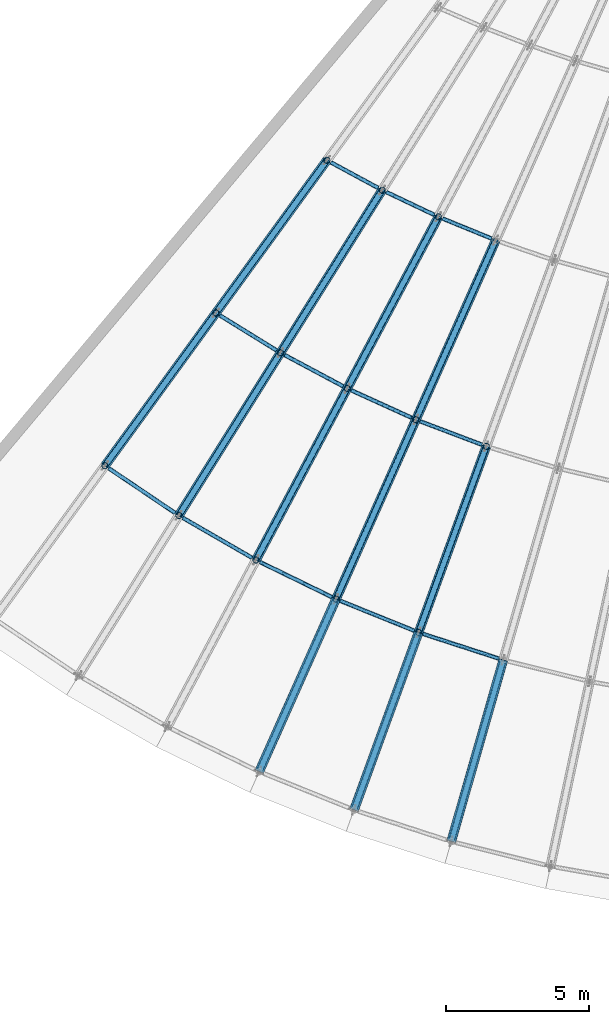
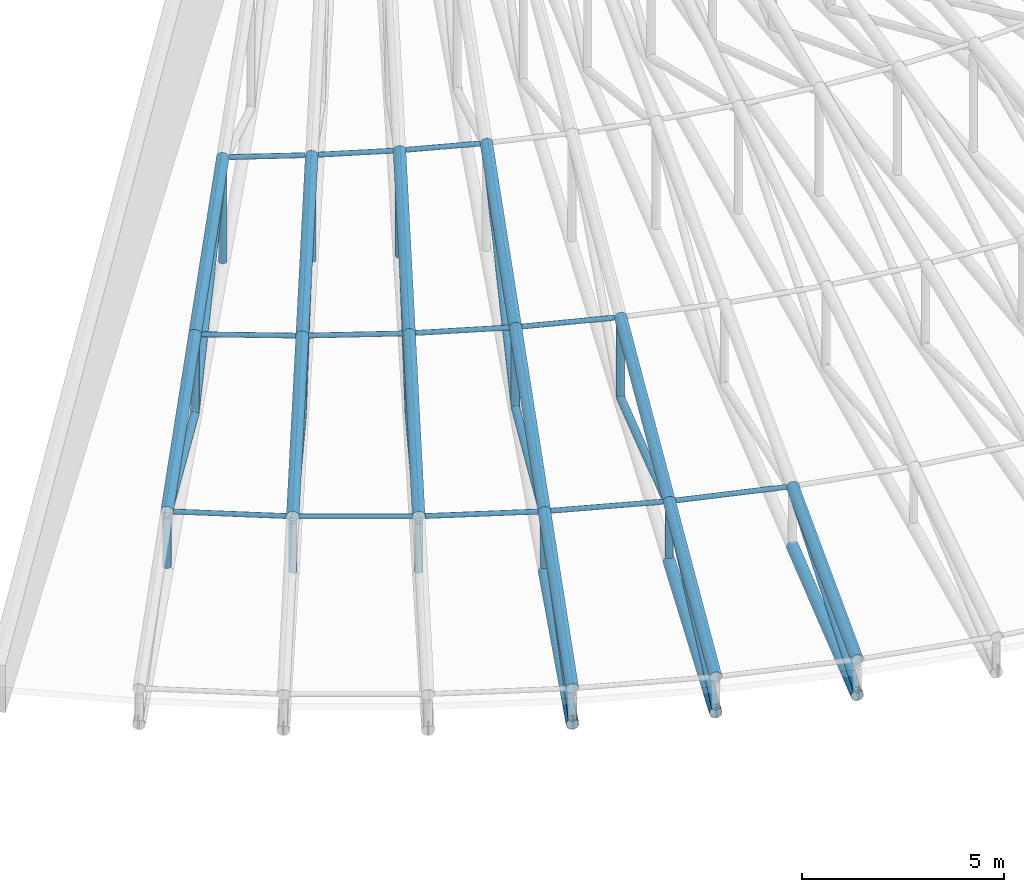
# One storey, part 24 of 163: 52 members.
"""IFC4 building model written with IfcOpenShell, lengths in metres."""

from ifc_helpers import new_model, si_unit, direction, frame, origin, origin_2d, place, context, subcontext, project, spatial, hollow_circle, extrude, material, material_profile, profile_set, type_object, element, save


model = new_model("IFC4")

# Units and contexts
model_context = context("Model", 3, precision=1e-05, world=origin(), true_north=direction((0.0, 1.0)))
body_context = subcontext(model_context, "Body", "Model", "MODEL_VIEW")
ifc_project = project(units=[si_unit("LENGTHUNIT", "METRE"), si_unit("AREAUNIT", "SQUARE_METRE"), si_unit("VOLUMEUNIT", "CUBIC_METRE"), si_unit("PLANEANGLEUNIT", "RADIAN"), si_unit("MASSUNIT", "GRAM", prefix="KILO")], contexts=[model_context])

# Site, building, storey
site_placement = place(None, origin())
site = spatial("IfcSite", under=ifc_project, at=site_placement, CompositionType="ELEMENT")
building_placement = place(site_placement, origin())
building = spatial("IfcBuilding", under=site, at=building_placement, Name="Rain Tree Exposition and Congress Centre", CompositionType="ELEMENT")
storey_placement = place(building_placement, frame((0.0, 0.0, 10.5)))
storey = spatial("IfcBuildingStorey", under=building, at=storey_placement, Name="L02", CompositionType="ELEMENT", Elevation=10.5)

# Members
ifc_material_1 = material(Name="Steel S355J2H", Category="steel")
ifc_material_profile_1 = material_profile(ifc_material_1, hollow_circle(Radius=0.108154296875, WallThickness=0.008056640625, at=origin_2d()), Name="CHS 216x8")
ifc_profile_set_1 = profile_set([ifc_material_profile_1], Name="Steel S355J2H")
member_type_1 = type_object("IfcMemberType", Name="Steel brace member CHS 216x8", PredefinedType="BRACE", material=ifc_profile_set_1)
member_1_placement = place(storey_placement, frame((175.384765625, 31.117919921875, 1.810546875), z_axis=(0.57332385433, 0.78909167236, -0.220531382502), x_axis=(-0.80900958585, 0.587795449117, 0.0)))
element("IfcMember", 1, at=member_1_placement, inside=storey, type_object=member_type_1, Name="TD1-2", PredefinedType="BRACE", context=body_context, shape_type="SweptSolid", body=[
    extrude(hollow_circle(Radius=0.108154296875, WallThickness=0.008056640625, at=origin_2d()), origin(), (0.0, 0.0, 1.0), 6.76513671875),
])
member_2_placement = place(storey_placement, frame((179.263427734375, 36.456298828125, 0.318603515625), z_axis=(0.535805353947, 0.737453255455, 0.411187692788), x_axis=(-0.80900958585, 0.587795449117, 0.0)))
element("IfcMember", 2, at=member_2_placement, inside=storey, type_object=member_type_1, Name="TD1-3", PredefinedType="BRACE", context=body_context, shape_type="SweptSolid", body=[
    extrude(hollow_circle(Radius=0.108154296875, WallThickness=0.008056640625, at=origin_2d()), origin(), (0.0, 0.0, 1.0), 7.239013671875),
])
member_3_placement = place(storey_placement, frame((177.965576171875, 29.377197265625, 1.810546875), z_axis=(0.5172842453, 0.827796952354, -0.217184749091), x_axis=(-0.848039210505, 0.529933483982, 0.0)))
element("IfcMember", 3, at=member_3_placement, inside=storey, type_object=member_type_1, Name="TD2-2", PredefinedType="BRACE", context=body_context, shape_type="SweptSolid", body=[
    extrude(hollow_circle(Radius=0.108154296875, WallThickness=0.008056640625, at=origin_2d()), origin(), (0.0, 0.0, 1.0), 6.869384765625),
])
member_4_placement = place(storey_placement, frame((181.51904296875, 35.063720703125, 0.318603515625), z_axis=(0.483715175782, 0.774077215686, 0.408441051897), x_axis=(-0.848039210505, 0.529933483982, 0.0)))
element("IfcMember", 4, at=member_4_placement, inside=storey, type_object=member_type_1, Name="TD2-3", PredefinedType="BRACE", context=body_context, shape_type="SweptSolid", body=[
    extrude(hollow_circle(Radius=0.108154296875, WallThickness=0.008056640625, at=origin_2d()), origin(), (0.0, 0.0, 1.0), 7.34619140625),
])
member_5_placement = place(storey_placement, frame((180.66162109375, 27.820556640625, 1.810546875), z_axis=(0.458528194381, 0.862399490994, -0.214520425346), x_axis=(-0.882955125335, 0.469457395984, 0.0)))
element("IfcMember", 5, at=member_5_placement, inside=storey, type_object=member_type_1, Name="TD3-2", PredefinedType="BRACE", context=body_context, shape_type="SweptSolid", body=[
    extrude(hollow_circle(Radius=0.108154296875, WallThickness=0.008056640625, at=origin_2d()), origin(), (0.0, 0.0, 1.0), 6.954833984375),
])
member_6_placement = place(storey_placement, frame((183.8505859375, 33.818359375, 0.318603515625), z_axis=(0.428982689228, 0.806801401588, 0.406257739297), x_axis=(-0.882948148784, 0.469470517241, 0.0)))
element("IfcMember", 6, at=member_6_placement, inside=storey, type_object=member_type_1, Name="TD3-3", PredefinedType="BRACE", context=body_context, shape_type="SweptSolid", body=[
    extrude(hollow_circle(Radius=0.108154296875, WallThickness=0.008056640625, at=origin_2d()), origin(), (0.0, 0.0, 1.0), 7.434326171875),
])
member_7_placement = place(storey_placement, frame((180.775146484375, 20.426513671875, 0.318603515625), z_axis=(0.396715149612, 0.891066606168, 0.220493522445), x_axis=(-0.913550510459, 0.406725294076, 0.0)))
element("IfcMember", 7, at=member_7_placement, inside=storey, type_object=member_type_1, Name="TD4-1", PredefinedType="BRACE", context=body_context, shape_type="SweptSolid", body=[
    extrude(hollow_circle(Radius=0.108154296875, WallThickness=0.008056640625, at=origin_2d()), origin(), (0.0, 0.0, 1.0), 6.766357421875),
])
member_8_placement = place(storey_placement, frame((183.45947265625, 26.455810546875, 1.810546875), z_axis=(0.397453191662, 0.892705725868, -0.212385139406), x_axis=(-0.913547360783, 0.406732368524, 0.0)))
element("IfcMember", 8, at=member_8_placement, inside=storey, type_object=member_type_1, Name="TD4-2", PredefinedType="BRACE", context=body_context, shape_type="SweptSolid", body=[
    extrude(hollow_circle(Radius=0.108154296875, WallThickness=0.008056640625, at=origin_2d()), origin(), (0.0, 0.0, 1.0), 7.024658203125),
])
member_9_placement = place(storey_placement, frame((186.25146484375, 32.726806640625, 0.318603515625), z_axis=(0.371977625984, 0.835453421073, 0.404537052672), x_axis=(-0.913541476776, 0.406745584131, 0.0)))
element("IfcMember", 9, at=member_9_placement, inside=storey, type_object=member_type_1, Name="TD4-3", PredefinedType="BRACE", context=body_context, shape_type="SweptSolid", body=[
    extrude(hollow_circle(Radius=0.108154296875, WallThickness=0.008056640625, at=origin_2d()), origin(), (0.0, 0.0, 1.0), 7.505859375),
])
member_10_placement = place(storey_placement, frame((184.088623046875, 19.087646484375, 0.318603515625), z_axis=(0.333593710067, 0.916570907478, 0.220483578003), x_axis=(-0.939696185245, 0.342010349897, 0.0)))
element("IfcMember", 10, at=member_10_placement, inside=storey, type_object=member_type_1, Name="TD5-1", PredefinedType="BRACE", context=body_context, shape_type="SweptSolid", body=[
    extrude(hollow_circle(Radius=0.108154296875, WallThickness=0.008056640625, at=origin_2d()), origin(), (0.0, 0.0, 1.0), 6.7666015625),
])
member_11_placement = place(storey_placement, frame((186.345947265625, 25.289794921875, 1.810546875), z_axis=(0.334335617184, 0.918595383848, -0.210718332984), x_axis=(-0.939694514478, 0.342014940405, 0.0)))
element("IfcMember", 11, at=member_11_placement, inside=storey, type_object=member_type_1, Name="TD5-2", PredefinedType="BRACE", context=body_context, shape_type="SweptSolid", body=[
    extrude(hollow_circle(Radius=0.108154296875, WallThickness=0.008056640625, at=origin_2d()), origin(), (0.0, 0.0, 1.0), 7.080322265625),
])
member_12_placement = place(storey_placement, frame((187.4873046875, 17.9833984375, 0.318603515625), z_axis=(0.268874838211, 0.937598167707, 0.220490356456), x_axis=(-0.961255477759, 0.275659040262, 0.0)))
element("IfcMember", 12, at=member_12_placement, inside=storey, type_object=member_type_1, Name="TD6-1", PredefinedType="BRACE", context=body_context, shape_type="SweptSolid", body=[
    extrude(hollow_circle(Radius=0.108154296875, WallThickness=0.008056640625, at=origin_2d()), origin(), (0.0, 0.0, 1.0), 6.766357421875),
])
ifc_material_2 = material(Name="Steel S355J2H", Category="steel")
ifc_material_profile_2 = material_profile(ifc_material_2, hollow_circle(Radius=0.1591796875, WallThickness=0.010009765625, at=origin_2d()), Name="CHS 318x10")
ifc_profile_set_2 = profile_set([ifc_material_profile_2], Name="Steel S355J2H")
member_type_2 = type_object("IfcMemberType", Name="Steel chord member CHS 318x10", PredefinedType="CHORD", material=ifc_profile_set_2)
for number, where, z_axis, x_axis, name in (
    (13, (175.384765625, 31.117919921875, 1.971435546875), (0.584109934618, 0.803937044776, 0.111807031609), (-0.80900958585, 0.587795449117, 0.0), "TT1-2"),
    (14, (179.263427734375, 36.456298828125, 2.7138671875), (0.584109934618, 0.803937044776, 0.111807031609), (-0.80900958585, 0.587795449117, 0.0), "TT1-3"),
):
    element("IfcMember", number, at=place(storey_placement, frame(where, z_axis=z_axis, x_axis=x_axis)), inside=storey, type_object=member_type_2, Name=name, PredefinedType="CHORD", context=body_context, shape_type="SweptSolid", body=[
        extrude(hollow_circle(Radius=0.1591796875, WallThickness=0.010009765625, at=origin_2d()), origin(), (0.0, 0.0, 1.0), 6.640380859375),
    ])
for number, where, z_axis, x_axis, name in (
    (15, (177.965576171875, 29.377197265625, 1.971435546875), (0.526611269539, 0.842722754387, 0.111798613732), (-0.848039210505, 0.529933483982, 0.0), "TT2-2"),
    (16, (181.51904296875, 35.063720703125, 2.725830078125), (0.526611269539, 0.842722754387, 0.111798613732), (-0.848039210505, 0.529933483982, 0.0), "TT2-3"),
):
    element("IfcMember", number, at=place(storey_placement, frame(where, z_axis=z_axis, x_axis=x_axis)), inside=storey, type_object=member_type_2, Name=name, PredefinedType="CHORD", context=body_context, shape_type="SweptSolid", body=[
        extrude(hollow_circle(Radius=0.1591796875, WallThickness=0.010009765625, at=origin_2d()), origin(), (0.0, 0.0, 1.0), 6.747802734375),
    ])
member_13_placement = place(storey_placement, frame((180.66162109375, 27.820556640625, 1.971435546875), z_axis=(0.466514807022, 0.877420706179, 0.111789262439), x_axis=(-0.882955125335, 0.469457395984, 0.0)))
element("IfcMember", 17, at=member_13_placement, inside=storey, type_object=member_type_2, Name="TT3-2", PredefinedType="CHORD", context=body_context, shape_type="SweptSolid", body=[
    extrude(hollow_circle(Radius=0.1591796875, WallThickness=0.010009765625, at=origin_2d()), origin(), (0.0, 0.0, 1.0), 6.835693359375),
])
member_14_placement = place(storey_placement, frame((183.8505859375, 33.818359375, 2.735595703125), z_axis=(0.466526266629, 0.877410802921, 0.111819164114), x_axis=(-0.882948148784, 0.469470517241, 0.0)))
element("IfcMember", 18, at=member_14_placement, inside=storey, type_object=member_type_2, Name="TT3-3", PredefinedType="CHORD", context=body_context, shape_type="SweptSolid", body=[
    extrude(hollow_circle(Radius=0.1591796875, WallThickness=0.010009765625, at=origin_2d()), origin(), (0.0, 0.0, 1.0), 6.836181640625),
])
member_15_placement = place(storey_placement, frame((180.775146484375, 20.426513671875, 0.1591796875), z_axis=(0.406725294076, 0.913550510459, 0.0), x_axis=(-0.913550510459, 0.406725294076, 0.0)))
element("IfcMember", 19, at=member_15_placement, inside=storey, type_object=member_type_2, Name="TC4-1", PredefinedType="CHORD", context=body_context, shape_type="SweptSolid", body=[
    extrude(hollow_circle(Radius=0.1591796875, WallThickness=0.010009765625, at=origin_2d()), origin(), (0.0, 0.0, 1.0), 6.599853515625),
])
member_16_placement = place(storey_placement, frame((180.775146484375, 20.426513671875, 1.22900390625), z_axis=(0.404176012506, 0.907824538867, 0.111787108143), x_axis=(-0.913550510459, 0.406725294076, 0.0)))
element("IfcMember", 20, at=member_16_placement, inside=storey, type_object=member_type_2, Name="TT4-1", PredefinedType="CHORD", context=body_context, shape_type="SweptSolid", body=[
    extrude(hollow_circle(Radius=0.1591796875, WallThickness=0.010009765625, at=origin_2d()), origin(), (0.0, 0.0, 1.0), 6.641357421875),
])
member_17_placement = place(storey_placement, frame((183.45947265625, 26.455810546875, 1.971435546875), z_axis=(0.404182909881, 0.907821110808, 0.11179000909), x_axis=(-0.913547360783, 0.406732368524, 0.0)))
element("IfcMember", 21, at=member_17_placement, inside=storey, type_object=member_type_2, Name="TT4-2", PredefinedType="CHORD", context=body_context, shape_type="SweptSolid", body=[
    extrude(hollow_circle(Radius=0.1591796875, WallThickness=0.010009765625, at=origin_2d()), origin(), (0.0, 0.0, 1.0), 6.90771484375),
])
member_18_placement = place(storey_placement, frame((186.25146484375, 32.726806640625, 2.74365234375), z_axis=(0.404194281199, 0.907811307503, 0.111828498226), x_axis=(-0.913541476776, 0.406745584131, 0.0)))
element("IfcMember", 22, at=member_18_placement, inside=storey, type_object=member_type_2, Name="TT4-3", PredefinedType="CHORD", context=body_context, shape_type="SweptSolid", body=[
    extrude(hollow_circle(Radius=0.1591796875, WallThickness=0.010009765625, at=origin_2d()), origin(), (0.0, 0.0, 1.0), 6.907470703125),
])
member_19_placement = place(storey_placement, frame((184.088623046875, 19.087646484375, 0.1591796875), z_axis=(0.342010349897, 0.939696185245, 0.0), x_axis=(-0.939696185245, 0.342010349897, 0.0)))
element("IfcMember", 23, at=member_19_placement, inside=storey, type_object=member_type_2, Name="TC5-1", PredefinedType="CHORD", context=body_context, shape_type="SweptSolid", body=[
    extrude(hollow_circle(Radius=0.1591796875, WallThickness=0.010009765625, at=origin_2d()), origin(), (0.0, 0.0, 1.0), 6.60009765625),
])
member_20_placement = place(storey_placement, frame((184.088623046875, 19.087646484375, 1.22900390625), z_axis=(0.33986689138, 0.933806890398, 0.111781875047), x_axis=(-0.939696185245, 0.342010349897, 0.0)))
element("IfcMember", 24, at=member_20_placement, inside=storey, type_object=member_type_2, Name="TT5-1", PredefinedType="CHORD", context=body_context, shape_type="SweptSolid", body=[
    extrude(hollow_circle(Radius=0.1591796875, WallThickness=0.010009765625, at=origin_2d()), origin(), (0.0, 0.0, 1.0), 6.641845703125),
])
member_21_placement = place(storey_placement, frame((186.345947265625, 25.289794921875, 1.971435546875), z_axis=(0.339870070245, 0.933801430624, 0.111817813952), x_axis=(-0.939694514478, 0.342014940405, 0.0)))
element("IfcMember", 25, at=member_21_placement, inside=storey, type_object=member_type_2, Name="TT5-2", PredefinedType="CHORD", context=body_context, shape_type="SweptSolid", body=[
    extrude(hollow_circle(Radius=0.1591796875, WallThickness=0.010009765625, at=origin_2d()), origin(), (0.0, 0.0, 1.0), 6.965087890625),
])
member_22_placement = place(storey_placement, frame((187.4873046875, 17.9833984375, 0.1591796875), z_axis=(0.275659040262, 0.961255477759, 0.0), x_axis=(-0.961255477759, 0.275659040262, 0.0)))
element("IfcMember", 26, at=member_22_placement, inside=storey, type_object=member_type_2, Name="TC6-1", PredefinedType="CHORD", context=body_context, shape_type="SweptSolid", body=[
    extrude(hollow_circle(Radius=0.1591796875, WallThickness=0.010009765625, at=origin_2d()), origin(), (0.0, 0.0, 1.0), 6.599853515625),
])
member_23_placement = place(storey_placement, frame((187.4873046875, 17.9833984375, 1.22900390625), z_axis=(0.273931310248, 0.955230680099, 0.111785442091), x_axis=(-0.961255477759, 0.275659040262, 0.0)))
element("IfcMember", 27, at=member_23_placement, inside=storey, type_object=member_type_2, Name="TT6-1", PredefinedType="CHORD", context=body_context, shape_type="SweptSolid", body=[
    extrude(hollow_circle(Radius=0.1591796875, WallThickness=0.010009765625, at=origin_2d()), origin(), (0.0, 0.0, 1.0), 6.6416015625),
])
ifc_material_3 = material(Name="Steel S355J2H", Category="steel")
ifc_material_profile_3 = material_profile(ifc_material_3, hollow_circle(Radius=0.108154296875, WallThickness=0.008056640625, at=origin_2d()), Name="CHS 216x8")
ifc_profile_set_3 = profile_set([ifc_material_profile_3], Name="Steel S355J2H")
member_type_3 = type_object("IfcMemberType", Name="Steel post member CHS 216x8", PredefinedType="POST", material=ifc_profile_set_3)
member_24_placement = place(storey_placement, frame((175.384765625, 31.117919921875, 0.318603515625), z_axis=(0.0, 0.0, 1.0), x_axis=(1.0, 0.0, 0.0)))
element("IfcMember", 28, at=member_24_placement, inside=storey, type_object=member_type_3, Name="TP1-1", PredefinedType="POST", context=body_context, shape_type="SweptSolid", body=[
    extrude(hollow_circle(Radius=0.108154296875, WallThickness=0.008056640625, at=origin_2d()), origin(), (0.0, 0.0, 1.0), 1.491943359375),
])
member_25_placement = place(storey_placement, frame((179.263427734375, 36.456298828125, 0.318603515625), z_axis=(0.0, 0.0, 1.0), x_axis=(1.0, 0.0, 0.0)))
element("IfcMember", 29, at=member_25_placement, inside=storey, type_object=member_type_3, Name="TP1-2", PredefinedType="POST", context=body_context, shape_type="SweptSolid", body=[
    extrude(hollow_circle(Radius=0.108154296875, WallThickness=0.008056640625, at=origin_2d()), origin(), (0.0, 0.0, 1.0), 2.234130859375),
])
member_26_placement = place(storey_placement, frame((183.14208984375, 41.794677734375, 0.318603515625), z_axis=(0.0, 0.0, 1.0), x_axis=(1.0, 0.0, 0.0)))
element("IfcMember", 30, at=member_26_placement, inside=storey, type_object=member_type_3, Name="TP1-3", PredefinedType="POST", context=body_context, shape_type="SweptSolid", body=[
    extrude(hollow_circle(Radius=0.108154296875, WallThickness=0.008056640625, at=origin_2d()), origin(), (0.0, 0.0, 1.0), 2.9765625),
])
member_27_placement = place(storey_placement, frame((177.965576171875, 29.377197265625, 0.318603515625), z_axis=(0.0, 0.0, 1.0), x_axis=(1.0, 0.0, 0.0)))
element("IfcMember", 31, at=member_27_placement, inside=storey, type_object=member_type_3, Name="TP2-1", PredefinedType="POST", context=body_context, shape_type="SweptSolid", body=[
    extrude(hollow_circle(Radius=0.108154296875, WallThickness=0.008056640625, at=origin_2d()), origin(), (0.0, 0.0, 1.0), 1.491943359375),
])
member_28_placement = place(storey_placement, frame((181.51904296875, 35.063720703125, 0.318603515625), z_axis=(0.0, 0.0, 1.0), x_axis=(1.0, 0.0, 0.0)))
element("IfcMember", 32, at=member_28_placement, inside=storey, type_object=member_type_3, Name="TP2-2", PredefinedType="POST", context=body_context, shape_type="SweptSolid", body=[
    extrude(hollow_circle(Radius=0.108154296875, WallThickness=0.008056640625, at=origin_2d()), origin(), (0.0, 0.0, 1.0), 2.246337890625),
])
member_29_placement = place(storey_placement, frame((185.072509765625, 40.750244140625, 0.318603515625), z_axis=(0.0, 0.0, 1.0), x_axis=(1.0, 0.0, 0.0)))
element("IfcMember", 33, at=member_29_placement, inside=storey, type_object=member_type_3, Name="TP2-3", PredefinedType="POST", context=body_context, shape_type="SweptSolid", body=[
    extrude(hollow_circle(Radius=0.108154296875, WallThickness=0.008056640625, at=origin_2d()), origin(), (0.0, 0.0, 1.0), 3.00048828125),
])
member_30_placement = place(storey_placement, frame((180.66162109375, 27.820556640625, 0.318603515625), z_axis=(0.0, 0.0, 1.0), x_axis=(1.0, 0.0, 0.0)))
element("IfcMember", 34, at=member_30_placement, inside=storey, type_object=member_type_3, Name="TP3-1", PredefinedType="POST", context=body_context, shape_type="SweptSolid", body=[
    extrude(hollow_circle(Radius=0.108154296875, WallThickness=0.008056640625, at=origin_2d()), origin(), (0.0, 0.0, 1.0), 1.491943359375),
])
member_31_placement = place(storey_placement, frame((183.8505859375, 33.818359375, 0.318603515625), z_axis=(0.0, 0.0, 1.0), x_axis=(1.0, 0.0, 0.0)))
element("IfcMember", 35, at=member_31_placement, inside=storey, type_object=member_type_3, Name="TP3-2", PredefinedType="POST", context=body_context, shape_type="SweptSolid", body=[
    extrude(hollow_circle(Radius=0.108154296875, WallThickness=0.008056640625, at=origin_2d()), origin(), (0.0, 0.0, 1.0), 2.256103515625),
])
member_32_placement = place(storey_placement, frame((187.039794921875, 39.81640625, 0.318603515625), z_axis=(0.0, 0.0, 1.0), x_axis=(1.0, 0.0, 0.0)))
element("IfcMember", 36, at=member_32_placement, inside=storey, type_object=member_type_3, Name="TP3-3", PredefinedType="POST", context=body_context, shape_type="SweptSolid", body=[
    extrude(hollow_circle(Radius=0.108154296875, WallThickness=0.008056640625, at=origin_2d()), origin(), (0.0, 0.0, 1.0), 3.020263671875),
])
member_33_placement = place(storey_placement, frame((183.45947265625, 26.455810546875, 0.318603515625), z_axis=(0.0, 0.0, 1.0), x_axis=(1.0, 0.0, 0.0)))
element("IfcMember", 37, at=member_33_placement, inside=storey, type_object=member_type_3, Name="TP4-1", PredefinedType="POST", context=body_context, shape_type="SweptSolid", body=[
    extrude(hollow_circle(Radius=0.108154296875, WallThickness=0.008056640625, at=origin_2d()), origin(), (0.0, 0.0, 1.0), 1.491943359375),
])
member_34_placement = place(storey_placement, frame((186.25146484375, 32.726806640625, 0.318603515625), z_axis=(0.0, 0.0, 1.0), x_axis=(1.0, 0.0, 0.0)))
element("IfcMember", 38, at=member_34_placement, inside=storey, type_object=member_type_3, Name="TP4-2", PredefinedType="POST", context=body_context, shape_type="SweptSolid", body=[
    extrude(hollow_circle(Radius=0.108154296875, WallThickness=0.008056640625, at=origin_2d()), origin(), (0.0, 0.0, 1.0), 2.26416015625),
])
member_35_placement = place(storey_placement, frame((186.345947265625, 25.289794921875, 0.318603515625), z_axis=(0.0, 0.0, 1.0), x_axis=(1.0, 0.0, 0.0)))
element("IfcMember", 39, at=member_35_placement, inside=storey, type_object=member_type_3, Name="TP5-1", PredefinedType="POST", context=body_context, shape_type="SweptSolid", body=[
    extrude(hollow_circle(Radius=0.108154296875, WallThickness=0.008056640625, at=origin_2d()), origin(), (0.0, 0.0, 1.0), 1.491943359375),
])
member_36_placement = place(storey_placement, frame((188.713134765625, 31.793701171875, 0.318603515625), z_axis=(0.0, 0.0, 1.0), x_axis=(1.0, 0.0, 0.0)))
element("IfcMember", 40, at=member_36_placement, inside=storey, type_object=member_type_3, Name="TP5-2", PredefinedType="POST", context=body_context, shape_type="SweptSolid", body=[
    extrude(hollow_circle(Radius=0.108154296875, WallThickness=0.008056640625, at=origin_2d()), origin(), (0.0, 0.0, 1.0), 2.2705078125),
])
ifc_material_4 = material(Name="Steel S355J2H", Category="steel")
ifc_material_profile_4 = material_profile(ifc_material_4, hollow_circle(Radius=0.06982421875, WallThickness=0.0048828125, at=origin_2d()), Name="CHS 140x5")
ifc_profile_set_4 = profile_set([ifc_material_profile_4], Name="Steel S355J2H")
member_type_4 = type_object("IfcMemberType", Name="Steel purlin member CHS 140x5", PredefinedType="PURLIN", material=ifc_profile_set_4)
member_37_placement = place(storey_placement, frame((175.516845703125, 31.02880859375, 1.971435546875), z_axis=(0.82905423216, -0.559168203797, 0.0), x_axis=(0.559168203797, 0.82905423216, 0.0)))
element("IfcMember", 41, at=member_37_placement, inside=storey, type_object=member_type_4, Name="PU1-1", PredefinedType="PURLIN", context=body_context, shape_type="SweptSolid", body=[
    extrude(hollow_circle(Radius=0.06982421875, WallThickness=0.0048828125, at=origin_2d()), origin(), (0.0, 0.0, 1.0), 2.79443359375),
])
member_38_placement = place(storey_placement, frame((179.39892578125, 36.37255859375, 2.714599609375), z_axis=(0.850876081006, -0.525347158392, 0.00450088221), x_axis=(0.525352479699, 0.850884699636, 0.0)))
element("IfcMember", 42, at=member_38_placement, inside=storey, type_object=member_type_4, Name="PU1-2", PredefinedType="PURLIN", context=body_context, shape_type="SweptSolid", body=[
    extrude(hollow_circle(Radius=0.06982421875, WallThickness=0.0048828125, at=origin_2d()), origin(), (0.0, 0.0, 1.0), 2.33251953125),
])
member_39_placement = place(storey_placement, frame((183.281982421875, 41.718994140625, 3.4580078125), z_axis=(0.87943915448, -0.475885861995, 0.010927942156), x_axis=(0.475914279666, 0.879491670461, 0.0)))
element("IfcMember", 43, at=member_39_placement, inside=storey, type_object=member_type_4, Name="PU1-3", PredefinedType="PURLIN", context=body_context, shape_type="SweptSolid", body=[
    extrude(hollow_circle(Radius=0.06982421875, WallThickness=0.0048828125, at=origin_2d()), origin(), (0.0, 0.0, 1.0), 1.876708984375),
])
member_40_placement = place(storey_placement, frame((178.103515625, 29.29736328125, 1.971435546875), z_axis=(0.866035739335, -0.499982097873, 0.0), x_axis=(0.499982097873, 0.866035739335, 0.0)))
element("IfcMember", 44, at=member_40_placement, inside=storey, type_object=member_type_4, Name="PU2-1", PredefinedType="PURLIN", context=body_context, shape_type="SweptSolid", body=[
    extrude(hollow_circle(Radius=0.06982421875, WallThickness=0.0048828125, at=origin_2d()), origin(), (0.0, 0.0, 1.0), 2.79443359375),
])
member_41_placement = place(storey_placement, frame((181.659423828125, 34.988525390625, 2.7265625), z_axis=(0.882085228314, -0.471075515978, 0.003675355118), x_axis=(0.47107869771, 0.882091186082, 0.0)))
element("IfcMember", 45, at=member_41_placement, inside=storey, type_object=member_type_4, Name="PU2-2", PredefinedType="PURLIN", context=body_context, shape_type="SweptSolid", body=[
    extrude(hollow_circle(Radius=0.06982421875, WallThickness=0.0048828125, at=origin_2d()), origin(), (0.0, 0.0, 1.0), 2.324951171875),
])
member_42_placement = place(storey_placement, frame((185.21630859375, 40.681884765625, 3.481689453125), z_axis=(0.903342181011, -0.428824936509, 0.009059681757), x_axis=(0.428842536103, 0.903379255478, 0.0)))
element("IfcMember", 46, at=member_42_placement, inside=storey, type_object=member_type_4, Name="PU2-3", PredefinedType="PURLIN", context=body_context, shape_type="SweptSolid", body=[
    extrude(hollow_circle(Radius=0.06982421875, WallThickness=0.0048828125, at=origin_2d()), origin(), (0.0, 0.0, 1.0), 1.859375),
])
member_43_placement = place(storey_placement, frame((180.8046875, 27.750732421875, 1.971435546875), z_axis=(0.898786916526, -0.438385764689, 0.0), x_axis=(0.438385764689, 0.898786916526, 0.0)))
element("IfcMember", 47, at=member_43_placement, inside=storey, type_object=member_type_4, Name="PU3-1", PredefinedType="PURLIN", context=body_context, shape_type="SweptSolid", body=[
    extrude(hollow_circle(Radius=0.06982421875, WallThickness=0.0048828125, at=origin_2d()), origin(), (0.0, 0.0, 1.0), 2.794677734375),
])
member_44_placement = place(storey_placement, frame((183.99560546875, 33.75244140625, 2.736083984375), z_axis=(0.910282894081, -0.41397551926, 0.00305322738), x_axis=(0.413977448855, 0.910287137029, 0.0)))
element("IfcMember", 48, at=member_44_placement, inside=storey, type_object=member_type_4, Name="PU3-2", PredefinedType="PURLIN", context=body_context, shape_type="SweptSolid", body=[
    extrude(hollow_circle(Radius=0.06982421875, WallThickness=0.0048828125, at=origin_2d()), origin(), (0.0, 0.0, 1.0), 2.31884765625),
])
member_45_placement = place(storey_placement, frame((187.187255859375, 39.756103515625, 3.501220703125), z_axis=(0.925671077977, -0.378256791401, 0.007406426685), x_axis=(0.378267166495, 0.925696467937, 0.0)))
element("IfcMember", 49, at=member_45_placement, inside=storey, type_object=member_type_4, Name="PU3-3", PredefinedType="PURLIN", context=body_context, shape_type="SweptSolid", body=[
    extrude(hollow_circle(Radius=0.06982421875, WallThickness=0.0048828125, at=origin_2d()), origin(), (0.0, 0.0, 1.0), 1.845947265625),
])
member_46_placement = place(storey_placement, frame((183.607177734375, 26.396240234375, 1.971435546875), z_axis=(0.927181740654, -0.37461182549, 0.0), x_axis=(0.37461182549, 0.927181740654, 0.0)))
element("IfcMember", 50, at=member_46_placement, inside=storey, type_object=member_type_4, Name="PU4-1", PredefinedType="PURLIN", context=body_context, shape_type="SweptSolid", body=[
    extrude(hollow_circle(Radius=0.06982421875, WallThickness=0.0048828125, at=origin_2d()), origin(), (0.0, 0.0, 1.0), 2.794677734375),
])
member_47_placement = place(storey_placement, frame((186.400390625, 32.670166015625, 2.744140625), z_axis=(0.935128622195, -0.354300114333, 0.002426713112), x_axis=(0.354301157563, 0.935131375663, 0.0)))
element("IfcMember", 51, at=member_47_placement, inside=storey, type_object=member_type_4, Name="PU4-2", PredefinedType="PURLIN", context=body_context, shape_type="SweptSolid", body=[
    extrude(hollow_circle(Radius=0.06982421875, WallThickness=0.0048828125, at=origin_2d()), origin(), (0.0, 0.0, 1.0), 2.31396484375),
])
member_48_placement = place(storey_placement, frame((186.497314453125, 25.240478515625, 1.971435546875), z_axis=(0.951058462857, -0.30901100341, 0.0), x_axis=(0.30901100341, 0.951058462857, 0.0)))
element("IfcMember", 52, at=member_48_placement, inside=storey, type_object=member_type_4, Name="PU5-1", PredefinedType="PURLIN", context=body_context, shape_type="SweptSolid", body=[
    extrude(hollow_circle(Radius=0.06982421875, WallThickness=0.0048828125, at=origin_2d()), origin(), (0.0, 0.0, 1.0), 2.79443359375),
])

save(model, "model.ifc")
